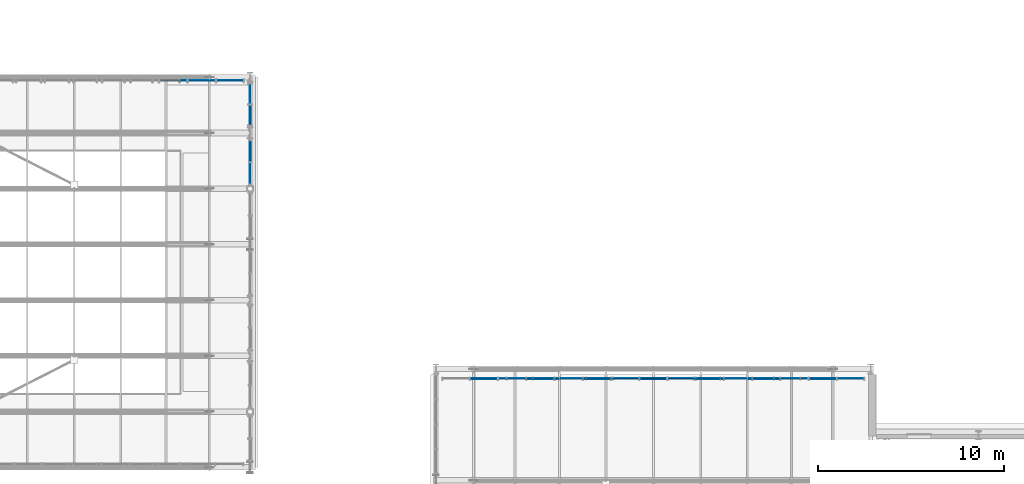
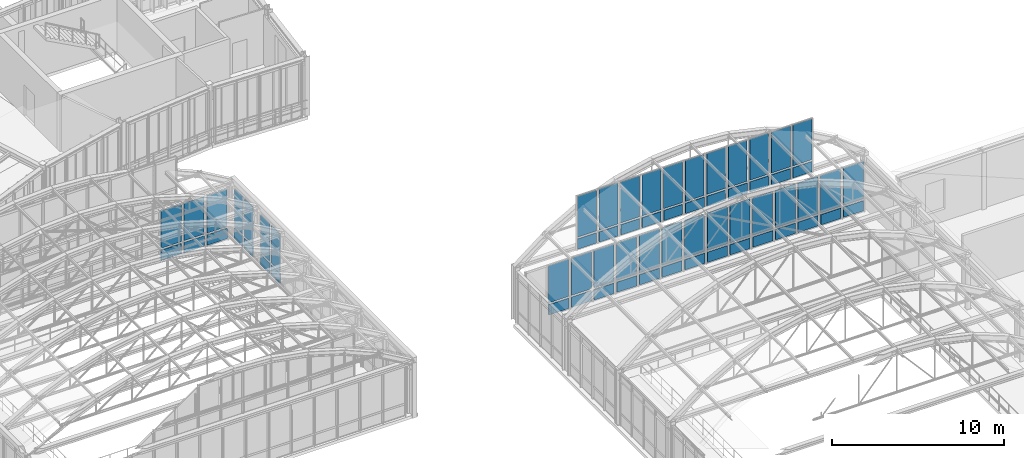
# One storey, part 101 of 148: 64 plates, 5 elements without a shape of their own.
"""IFC4 building model written with IfcOpenShell, lengths in metres."""

from ifc_helpers import new_model, si_unit, direction, frame, origin, origin_2d, place, context, subcontext, project, spatial, rectangle, extrude, material, layer, layer_set, type_object, element, aggregate, save


model = new_model("IFC4")

# Units and contexts
model_context = context("Model", 3, precision=1e-05, world=origin(), true_north=direction((0.0, 1.0)))
body_context = subcontext(model_context, "Body", "Model", "MODEL_VIEW")
ifc_project = project(units=[si_unit("LENGTHUNIT", "METRE"), si_unit("AREAUNIT", "SQUARE_METRE"), si_unit("VOLUMEUNIT", "CUBIC_METRE"), si_unit("PLANEANGLEUNIT", "RADIAN"), si_unit("MASSUNIT", "GRAM", prefix="KILO"), si_unit("THERMODYNAMICTEMPERATUREUNIT", "KELVIN"), si_unit("POWERUNIT", "WATT")], contexts=[model_context])

# Site, building, storey
site_placement = place(None, origin())
site = spatial("IfcSite", under=ifc_project, at=site_placement, CompositionType="ELEMENT")
building_placement = place(site_placement, origin())
building = spatial("IfcBuilding", under=site, at=building_placement, Name="Solvatero Civic Police Headquarters", CompositionType="ELEMENT")
storey_placement = place(building_placement, frame((0.0, 0.0, 5.10009765625)))
storey = spatial("IfcBuildingStorey", under=building, at=storey_placement, Name="L01", CompositionType="ELEMENT", Elevation=5.10009765625)

# Curtain wall, plate
ifc_material_1 = material(Name="Anodized Bronze Aluminium", Category="aluminium")
ifc_layer_1 = layer(ifc_material_1, 0.179931640625)
ifc_layer_set_1 = layer_set([ifc_layer_1], Name="Anodized Bronze Aluminium")
curtain_wall_type_1 = type_object("IfcCurtainWallType", Name="CW-HAL-GLZ", PredefinedType="USERDEFINED", material=ifc_layer_set_1)
curtain_wall_1_placement = place(storey_placement, origin())
curtain_wall_1 = element("IfcCurtainWall", 1, at=curtain_wall_1_placement, inside=storey, type_object=curtain_wall_type_1, Name="Curtain Wall CW-R2-L01-V2-E-B6", ObjectType="UNITISED", PredefinedType="USERDEFINED")
ifc_material_2 = material(Name="Triple Low-E Laminated Glass", Category="glass")
ifc_layer_2 = layer(ifc_material_2, 0.0380859375)
ifc_layer_set_2 = layer_set([ifc_layer_2], Name="Triple Low-E Laminated Glass")
plate_type_1 = type_object("IfcPlateType", Name="CWP-GLZ-38", PredefinedType="CURTAIN_PANEL", material=ifc_layer_set_2)
plate_1_placement = place(storey_placement, frame((88.800048828125, 57.31396484375, 0.909912109375), z_axis=(0.0, 0.0, 1.0), x_axis=(0.0, 1.0, 0.0)))
plate_1 = element("IfcPlate", 2, at=plate_1_placement, type_object=plate_type_1, Name="CW-R2-L01-V2-E-B6 Vision Glazing 1", PredefinedType="CURTAIN_PANEL", context=body_context, shape_type="SweptSolid", body=[
    extrude(rectangle(XDim=1.0439453125, YDim=0.0380859375, at=origin_2d()), origin(), (0.0, 0.0, 1.0), 2.68994140625),
])

curtain_wall_2_placement = place(storey_placement, origin())
curtain_wall_2 = element("IfcCurtainWall", 3, at=curtain_wall_2_placement, inside=storey, type_object=curtain_wall_type_1, Name="Curtain Wall CW-R2-L01-V2-E-B7", ObjectType="UNITISED", PredefinedType="USERDEFINED")
plate_2_placement = place(storey_placement, frame((88.800048828125, 61.611083984375, 0.909912109375), z_axis=(0.0, 0.0, 1.0), x_axis=(0.0, 1.0, 0.0)))
plate_2 = element("IfcPlate", 4, at=plate_2_placement, type_object=plate_type_1, Name="CW-R2-L01-V2-E-B7 Vision Glazing 2", PredefinedType="CURTAIN_PANEL", context=body_context, shape_type="SweptSolid", body=[
    extrude(rectangle(XDim=0.993896484375, YDim=0.0380859375, at=origin_2d()), origin(), (0.0, 0.0, 1.0), 2.68994140625),
])

curtain_wall_3_placement = place(storey_placement, origin())
curtain_wall_3 = element("IfcCurtainWall", 5, at=curtain_wall_3_placement, inside=storey, type_object=curtain_wall_type_1, Name="Curtain Wall CW-R2-L01-V2-N", ObjectType="UNITISED", PredefinedType="USERDEFINED")
plate_3_placement = place(storey_placement, frame((86.194091796875, 62.320068359375, 0.909912109375), z_axis=(0.0, 0.0, 1.0), x_axis=(1.0, 0.0, 0.0)))
plate_3 = element("IfcPlate", 6, at=plate_3_placement, type_object=plate_type_1, Name="CW-R2-L01-V2-N Vision Glazing 14", PredefinedType="CURTAIN_PANEL", context=body_context, shape_type="SweptSolid", body=[
    extrude(rectangle(XDim=1.35595703125, YDim=0.0380859375, at=origin_2d()), origin(), (0.0, 0.0, 1.0), 2.64990234375),
])

# Curtain wall, plates
curtain_wall_4_placement = place(storey_placement, origin())
curtain_wall_4 = element("IfcCurtainWall", 7, at=curtain_wall_4_placement, inside=storey, type_object=curtain_wall_type_1, Name="Curtain Wall CW-R2-L01-V1-N", ObjectType="UNITISED", PredefinedType="USERDEFINED")
plate_4_placement = place(storey_placement, frame((102.9013671875, 46.280029296875, 0.909912109375), z_axis=(0.0, 0.0, 1.0), x_axis=(1.0, 0.0, 0.0)))
plate_4 = element("IfcPlate", 8, at=plate_4_placement, type_object=plate_type_1, Name="CW-R2-L01-V1-N Vision Glazing 3", PredefinedType="CURTAIN_PANEL", context=body_context, shape_type="SweptSolid", body=[
    extrude(rectangle(XDim=1.339599609375, YDim=0.0380859375, at=origin_2d()), origin(), (0.0, 0.0, 1.0), 2.64990234375),
])
plate_5_placement = place(storey_placement, frame((105.94091796875, 46.280029296875, 0.909912109375), z_axis=(0.0, 0.0, 1.0), x_axis=(1.0, 0.0, 0.0)))
plate_5 = element("IfcPlate", 9, at=plate_5_placement, type_object=plate_type_1, Name="CW-R2-L01-V1-N Vision Glazing 5", PredefinedType="CURTAIN_PANEL", context=body_context, shape_type="SweptSolid", body=[
    extrude(rectangle(XDim=1.339599609375, YDim=0.0380859375, at=origin_2d()), origin(), (0.0, 0.0, 1.0), 2.64990234375),
])
plate_6_placement = place(storey_placement, frame((108.980224609375, 46.280029296875, 0.909912109375), z_axis=(0.0, 0.0, 1.0), x_axis=(1.0, 0.0, 0.0)))
plate_6 = element("IfcPlate", 10, at=plate_6_placement, type_object=plate_type_1, Name="CW-R2-L01-V1-N Vision Glazing 7", PredefinedType="CURTAIN_PANEL", context=body_context, shape_type="SweptSolid", body=[
    extrude(rectangle(XDim=1.339599609375, YDim=0.0380859375, at=origin_2d()), origin(), (0.0, 0.0, 1.0), 2.64990234375),
])
plate_7_placement = place(storey_placement, frame((112.019775390625, 46.280029296875, 0.909912109375), z_axis=(0.0, 0.0, 1.0), x_axis=(1.0, 0.0, 0.0)))
plate_7 = element("IfcPlate", 11, at=plate_7_placement, type_object=plate_type_1, Name="CW-R2-L01-V1-N Vision Glazing 9", PredefinedType="CURTAIN_PANEL", context=body_context, shape_type="SweptSolid", body=[
    extrude(rectangle(XDim=1.339599609375, YDim=0.0380859375, at=origin_2d()), origin(), (0.0, 0.0, 1.0), 2.64990234375),
])
plate_8_placement = place(storey_placement, frame((115.05908203125, 46.280029296875, 0.909912109375), z_axis=(0.0, 0.0, 1.0), x_axis=(1.0, 0.0, 0.0)))
plate_8 = element("IfcPlate", 12, at=plate_8_placement, type_object=plate_type_1, Name="CW-R2-L01-V1-N Vision Glazing 11", PredefinedType="CURTAIN_PANEL", context=body_context, shape_type="SweptSolid", body=[
    extrude(rectangle(XDim=1.339599609375, YDim=0.0380859375, at=origin_2d()), origin(), (0.0, 0.0, 1.0), 2.64990234375),
])
plate_9_placement = place(storey_placement, frame((118.0986328125, 46.280029296875, 0.909912109375), z_axis=(0.0, 0.0, 1.0), x_axis=(1.0, 0.0, 0.0)))
plate_9 = element("IfcPlate", 13, at=plate_9_placement, type_object=plate_type_1, Name="CW-R2-L01-V1-N Vision Glazing 13", PredefinedType="CURTAIN_PANEL", context=body_context, shape_type="SweptSolid", body=[
    extrude(rectangle(XDim=1.339599609375, YDim=0.0380859375, at=origin_2d()), origin(), (0.0, 0.0, 1.0), 2.64990234375),
])
plate_10_placement = place(storey_placement, frame((121.13818359375, 46.280029296875, 0.909912109375), z_axis=(0.0, 0.0, 1.0), x_axis=(1.0, 0.0, 0.0)))
plate_10 = element("IfcPlate", 14, at=plate_10_placement, type_object=plate_type_1, Name="CW-R2-L01-V1-N Vision Glazing 15", PredefinedType="CURTAIN_PANEL", context=body_context, shape_type="SweptSolid", body=[
    extrude(rectangle(XDim=1.339599609375, YDim=0.0380859375, at=origin_2d()), origin(), (0.0, 0.0, 1.0), 2.64990234375),
])

ifc_layer_3 = layer(ifc_material_1, 0.179931640625)
ifc_layer_set_3 = layer_set([ifc_layer_3], Name="Anodized Bronze Aluminium")
curtain_wall_type_2 = type_object("IfcCurtainWallType", Name="CW-VLT-TYMP", PredefinedType="USERDEFINED", material=ifc_layer_set_3)
curtain_wall_5_placement = place(storey_placement, origin())
curtain_wall_5 = element("IfcCurtainWall", 15, at=curtain_wall_5_placement, inside=storey, type_object=curtain_wall_type_2, Name="Curtain Wall CW-R2-L01-VLT1-N", ObjectType="UNITISED", PredefinedType="USERDEFINED")
plate_11_placement = place(storey_placement, frame((103.28173828125, 46.280029296875, 4.889892578125), z_axis=(0.0, 0.0, 1.0), x_axis=(1.0, 0.0, 0.0)))
plate_11 = element("IfcPlate", 16, at=plate_11_placement, type_object=plate_type_1, Name="CW-R2-L01-VLT1-N Vision Glazing 1", PredefinedType="CURTAIN_PANEL", context=body_context, shape_type="SweptSolid", body=[
    extrude(rectangle(XDim=1.263671875, YDim=0.0380859375, at=origin_2d()), origin(), (0.0, 0.0, 1.0), 2.89990234375),
])
plate_12_placement = place(storey_placement, frame((106.169189453125, 46.280029296875, 4.889892578125), z_axis=(0.0, 0.0, 1.0), x_axis=(1.0, 0.0, 0.0)))
plate_12 = element("IfcPlate", 17, at=plate_12_placement, type_object=plate_type_1, Name="CW-R2-L01-VLT1-N Vision Glazing 3", PredefinedType="CURTAIN_PANEL", context=body_context, shape_type="SweptSolid", body=[
    extrude(rectangle(XDim=1.263671875, YDim=0.0380859375, at=origin_2d()), origin(), (0.0, 0.0, 1.0), 2.89990234375),
])
plate_13_placement = place(storey_placement, frame((109.056396484375, 46.280029296875, 4.889892578125), z_axis=(0.0, 0.0, 1.0), x_axis=(1.0, 0.0, 0.0)))
plate_13 = element("IfcPlate", 18, at=plate_13_placement, type_object=plate_type_1, Name="CW-R2-L01-VLT1-N Vision Glazing 5", PredefinedType="CURTAIN_PANEL", context=body_context, shape_type="SweptSolid", body=[
    extrude(rectangle(XDim=1.263671875, YDim=0.0380859375, at=origin_2d()), origin(), (0.0, 0.0, 1.0), 2.89990234375),
])
plate_14_placement = place(storey_placement, frame((111.943603515625, 46.280029296875, 4.889892578125), z_axis=(0.0, 0.0, 1.0), x_axis=(1.0, 0.0, 0.0)))
plate_14 = element("IfcPlate", 19, at=plate_14_placement, type_object=plate_type_1, Name="CW-R2-L01-VLT1-N Vision Glazing 7", PredefinedType="CURTAIN_PANEL", context=body_context, shape_type="SweptSolid", body=[
    extrude(rectangle(XDim=1.263671875, YDim=0.0380859375, at=origin_2d()), origin(), (0.0, 0.0, 1.0), 2.89990234375),
])
plate_15_placement = place(storey_placement, frame((114.830810546875, 46.280029296875, 4.889892578125), z_axis=(0.0, 0.0, 1.0), x_axis=(1.0, 0.0, 0.0)))
plate_15 = element("IfcPlate", 20, at=plate_15_placement, type_object=plate_type_1, Name="CW-R2-L01-VLT1-N Vision Glazing 9", PredefinedType="CURTAIN_PANEL", context=body_context, shape_type="SweptSolid", body=[
    extrude(rectangle(XDim=1.263671875, YDim=0.0380859375, at=origin_2d()), origin(), (0.0, 0.0, 1.0), 2.89990234375),
])
plate_16_placement = place(storey_placement, frame((117.71826171875, 46.280029296875, 4.889892578125), z_axis=(0.0, 0.0, 1.0), x_axis=(1.0, 0.0, 0.0)))
plate_16 = element("IfcPlate", 21, at=plate_16_placement, type_object=plate_type_1, Name="CW-R2-L01-VLT1-N Vision Glazing 11", PredefinedType="CURTAIN_PANEL", context=body_context, shape_type="SweptSolid", body=[
    extrude(rectangle(XDim=1.263671875, YDim=0.0380859375, at=origin_2d()), origin(), (0.0, 0.0, 1.0), 2.89990234375),
])

# Plate
ifc_material_3 = material(Name="Acoustic Ballistic Laminated Glass", Category="glass")
ifc_layer_4 = layer(ifc_material_3, 0.0439453125)
ifc_layer_set_4 = layer_set([ifc_layer_4], Name="Acoustic Ballistic Laminated Glass")
plate_type_2 = type_object("IfcPlateType", Name="CWP-GLZ-44", PredefinedType="CURTAIN_PANEL", material=ifc_layer_set_4)
plate_17_placement = place(storey_placement, frame((88.800048828125, 58.5380859375, 0.909912109375), z_axis=(0.0, 0.0, 1.0), x_axis=(0.0, 1.0, 0.0)))
plate_17 = element("IfcPlate", 22, at=plate_17_placement, type_object=plate_type_2, Name="CW-R2-L01-V2-E-B6 Vision Glazing 2", PredefinedType="CURTAIN_PANEL", context=body_context, shape_type="SweptSolid", body=[
    extrude(rectangle(XDim=1.0439453125, YDim=0.0439453125, at=origin_2d()), origin(), (0.0, 0.0, 1.0), 2.68994140625),
])

plate_18_placement = place(storey_placement, frame((88.800048828125, 60.43701171875, 0.909912109375), z_axis=(0.0, 0.0, 1.0), x_axis=(0.0, 1.0, 0.0)))
plate_18 = element("IfcPlate", 23, at=plate_18_placement, type_object=plate_type_2, Name="CW-R2-L01-V2-E-B7 Vision Glazing 1", PredefinedType="CURTAIN_PANEL", context=body_context, shape_type="SweptSolid", body=[
    extrude(rectangle(XDim=0.993896484375, YDim=0.0439453125, at=origin_2d()), origin(), (0.0, 0.0, 1.0), 2.68994140625),
])

plate_19_placement = place(storey_placement, frame((84.658203125, 62.320068359375, 0.909912109375), z_axis=(0.0, 0.0, 1.0), x_axis=(1.0, 0.0, 0.0)))
plate_19 = element("IfcPlate", 24, at=plate_19_placement, type_object=plate_type_2, Name="CW-R2-L01-V2-N Vision Glazing 13", PredefinedType="CURTAIN_PANEL", context=body_context, shape_type="SweptSolid", body=[
    extrude(rectangle(XDim=1.35595703125, YDim=0.0439453125, at=origin_2d()), origin(), (0.0, 0.0, 1.0), 2.64990234375),
])

plate_20_placement = place(storey_placement, frame((87.72998046875, 62.320068359375, 0.909912109375), z_axis=(0.0, 0.0, 1.0), x_axis=(1.0, 0.0, 0.0)))
plate_20 = element("IfcPlate", 25, at=plate_20_placement, type_object=plate_type_2, Name="CW-R2-L01-V2-N Vision Glazing 15", PredefinedType="CURTAIN_PANEL", context=body_context, shape_type="SweptSolid", body=[
    extrude(rectangle(XDim=1.35595703125, YDim=0.0439453125, at=origin_2d()), origin(), (0.0, 0.0, 1.0), 2.64990234375),
])

plate_21_placement = place(storey_placement, frame((101.381591796875, 46.280029296875, 0.909912109375), z_axis=(0.0, 0.0, 1.0), x_axis=(1.0, 0.0, 0.0)))
plate_21 = element("IfcPlate", 26, at=plate_21_placement, type_object=plate_type_2, Name="CW-R2-L01-V1-N Vision Glazing 2", PredefinedType="CURTAIN_PANEL", context=body_context, shape_type="SweptSolid", body=[
    extrude(rectangle(XDim=1.339599609375, YDim=0.0439453125, at=origin_2d()), origin(), (0.0, 0.0, 1.0), 2.64990234375),
])

plate_22_placement = place(storey_placement, frame((104.421142578125, 46.280029296875, 0.909912109375), z_axis=(0.0, 0.0, 1.0), x_axis=(1.0, 0.0, 0.0)))
plate_22 = element("IfcPlate", 27, at=plate_22_placement, type_object=plate_type_2, Name="CW-R2-L01-V1-N Vision Glazing 4", PredefinedType="CURTAIN_PANEL", context=body_context, shape_type="SweptSolid", body=[
    extrude(rectangle(XDim=1.339599609375, YDim=0.0439453125, at=origin_2d()), origin(), (0.0, 0.0, 1.0), 2.64990234375),
])

plate_23_placement = place(storey_placement, frame((107.46044921875, 46.280029296875, 0.909912109375), z_axis=(0.0, 0.0, 1.0), x_axis=(1.0, 0.0, 0.0)))
plate_23 = element("IfcPlate", 28, at=plate_23_placement, type_object=plate_type_2, Name="CW-R2-L01-V1-N Vision Glazing 6", PredefinedType="CURTAIN_PANEL", context=body_context, shape_type="SweptSolid", body=[
    extrude(rectangle(XDim=1.339599609375, YDim=0.0439453125, at=origin_2d()), origin(), (0.0, 0.0, 1.0), 2.64990234375),
])

plate_24_placement = place(storey_placement, frame((110.5, 46.280029296875, 0.909912109375), z_axis=(0.0, 0.0, 1.0), x_axis=(1.0, 0.0, 0.0)))
plate_24 = element("IfcPlate", 29, at=plate_24_placement, type_object=plate_type_2, Name="CW-R2-L01-V1-N Vision Glazing 8", PredefinedType="CURTAIN_PANEL", context=body_context, shape_type="SweptSolid", body=[
    extrude(rectangle(XDim=1.339599609375, YDim=0.0439453125, at=origin_2d()), origin(), (0.0, 0.0, 1.0), 2.64990234375),
])

plate_25_placement = place(storey_placement, frame((113.53955078125, 46.280029296875, 0.909912109375), z_axis=(0.0, 0.0, 1.0), x_axis=(1.0, 0.0, 0.0)))
plate_25 = element("IfcPlate", 30, at=plate_25_placement, type_object=plate_type_2, Name="CW-R2-L01-V1-N Vision Glazing 10", PredefinedType="CURTAIN_PANEL", context=body_context, shape_type="SweptSolid", body=[
    extrude(rectangle(XDim=1.339599609375, YDim=0.0439453125, at=origin_2d()), origin(), (0.0, 0.0, 1.0), 2.64990234375),
])

plate_26_placement = place(storey_placement, frame((116.578857421875, 46.280029296875, 0.909912109375), z_axis=(0.0, 0.0, 1.0), x_axis=(1.0, 0.0, 0.0)))
plate_26 = element("IfcPlate", 31, at=plate_26_placement, type_object=plate_type_2, Name="CW-R2-L01-V1-N Vision Glazing 12", PredefinedType="CURTAIN_PANEL", context=body_context, shape_type="SweptSolid", body=[
    extrude(rectangle(XDim=1.339599609375, YDim=0.0439453125, at=origin_2d()), origin(), (0.0, 0.0, 1.0), 2.64990234375),
])

plate_27_placement = place(storey_placement, frame((119.618408203125, 46.280029296875, 0.909912109375), z_axis=(0.0, 0.0, 1.0), x_axis=(1.0, 0.0, 0.0)))
plate_27 = element("IfcPlate", 32, at=plate_27_placement, type_object=plate_type_2, Name="CW-R2-L01-V1-N Vision Glazing 14", PredefinedType="CURTAIN_PANEL", context=body_context, shape_type="SweptSolid", body=[
    extrude(rectangle(XDim=1.339599609375, YDim=0.0439453125, at=origin_2d()), origin(), (0.0, 0.0, 1.0), 2.64990234375),
])

plate_28_placement = place(storey_placement, frame((104.7255859375, 46.280029296875, 4.889892578125), z_axis=(0.0, 0.0, 1.0), x_axis=(1.0, 0.0, 0.0)))
plate_28 = element("IfcPlate", 33, at=plate_28_placement, type_object=plate_type_2, Name="CW-R2-L01-VLT1-N Vision Glazing 2", PredefinedType="CURTAIN_PANEL", context=body_context, shape_type="SweptSolid", body=[
    extrude(rectangle(XDim=1.263671875, YDim=0.0439453125, at=origin_2d()), origin(), (0.0, 0.0, 1.0), 2.89990234375),
])

plate_29_placement = place(storey_placement, frame((107.61279296875, 46.280029296875, 4.889892578125), z_axis=(0.0, 0.0, 1.0), x_axis=(1.0, 0.0, 0.0)))
plate_29 = element("IfcPlate", 34, at=plate_29_placement, type_object=plate_type_2, Name="CW-R2-L01-VLT1-N Vision Glazing 4", PredefinedType="CURTAIN_PANEL", context=body_context, shape_type="SweptSolid", body=[
    extrude(rectangle(XDim=1.263671875, YDim=0.0439453125, at=origin_2d()), origin(), (0.0, 0.0, 1.0), 2.89990234375),
])

plate_30_placement = place(storey_placement, frame((110.5, 46.280029296875, 4.889892578125), z_axis=(0.0, 0.0, 1.0), x_axis=(1.0, 0.0, 0.0)))
plate_30 = element("IfcPlate", 35, at=plate_30_placement, type_object=plate_type_2, Name="CW-R2-L01-VLT1-N Vision Glazing 6", PredefinedType="CURTAIN_PANEL", context=body_context, shape_type="SweptSolid", body=[
    extrude(rectangle(XDim=1.263671875, YDim=0.0439453125, at=origin_2d()), origin(), (0.0, 0.0, 1.0), 2.89990234375),
])

plate_31_placement = place(storey_placement, frame((113.38720703125, 46.280029296875, 4.889892578125), z_axis=(0.0, 0.0, 1.0), x_axis=(1.0, 0.0, 0.0)))
plate_31 = element("IfcPlate", 36, at=plate_31_placement, type_object=plate_type_2, Name="CW-R2-L01-VLT1-N Vision Glazing 8", PredefinedType="CURTAIN_PANEL", context=body_context, shape_type="SweptSolid", body=[
    extrude(rectangle(XDim=1.263671875, YDim=0.0439453125, at=origin_2d()), origin(), (0.0, 0.0, 1.0), 2.89990234375),
])

plate_32_placement = place(storey_placement, frame((116.2744140625, 46.280029296875, 4.889892578125), z_axis=(0.0, 0.0, 1.0), x_axis=(1.0, 0.0, 0.0)))
plate_32 = element("IfcPlate", 37, at=plate_32_placement, type_object=plate_type_2, Name="CW-R2-L01-VLT1-N Vision Glazing 10", PredefinedType="CURTAIN_PANEL", context=body_context, shape_type="SweptSolid", body=[
    extrude(rectangle(XDim=1.263671875, YDim=0.0439453125, at=origin_2d()), origin(), (0.0, 0.0, 1.0), 2.89990234375),
])

ifc_material_4 = material(Name="Insulated Bronze Aluminium Spandrel", Category="aluminium")
ifc_layer_5 = layer(ifc_material_4, 0.06005859375)
ifc_layer_set_5 = layer_set([ifc_layer_5], Name="Insulated Bronze Aluminium Spandrel")
plate_type_3 = type_object("IfcPlateType", Name="CWP-SPN-60", PredefinedType="CURTAIN_PANEL", material=ifc_layer_set_5)
plate_33_placement = place(storey_placement, frame((88.800048828125, 57.31396484375, 0.059814453125), z_axis=(0.0, 0.0, 1.0), x_axis=(0.0, 1.0, 0.0)))
plate_33 = element("IfcPlate", 38, at=plate_33_placement, type_object=plate_type_3, Name="CW-R2-L01-V2-E-B6 Spandrel Panel 1", PredefinedType="CURTAIN_PANEL", context=body_context, shape_type="SweptSolid", body=[
    extrude(rectangle(XDim=1.0439453125, YDim=0.06005859375, at=origin_2d()), origin(), (0.0, 0.0, 1.0), 0.72998046875),
])

plate_34_placement = place(storey_placement, frame((88.800048828125, 61.611083984375, 0.059814453125), z_axis=(0.0, 0.0, 1.0), x_axis=(0.0, 1.0, 0.0)))
plate_34 = element("IfcPlate", 39, at=plate_34_placement, type_object=plate_type_3, Name="CW-R2-L01-V2-E-B7 Spandrel Panel 2", PredefinedType="CURTAIN_PANEL", context=body_context, shape_type="SweptSolid", body=[
    extrude(rectangle(XDim=0.993896484375, YDim=0.06005859375, at=origin_2d()), origin(), (0.0, 0.0, 1.0), 0.72998046875),
])

plate_35_placement = place(storey_placement, frame((86.194091796875, 62.320068359375, 0.059814453125), z_axis=(0.0, 0.0, 1.0), x_axis=(1.0, 0.0, 0.0)))
plate_35 = element("IfcPlate", 40, at=plate_35_placement, type_object=plate_type_3, Name="CW-R2-L01-V2-N Spandrel Panel 14", PredefinedType="CURTAIN_PANEL", context=body_context, shape_type="SweptSolid", body=[
    extrude(rectangle(XDim=1.35595703125, YDim=0.06005859375, at=origin_2d()), origin(), (0.0, 0.0, 1.0), 0.72998046875),
])

plate_36_placement = place(storey_placement, frame((102.9013671875, 46.280029296875, 0.059814453125), z_axis=(0.0, 0.0, 1.0), x_axis=(1.0, 0.0, 0.0)))
plate_36 = element("IfcPlate", 41, at=plate_36_placement, type_object=plate_type_3, Name="CW-R2-L01-V1-N Spandrel Panel 3", PredefinedType="CURTAIN_PANEL", context=body_context, shape_type="SweptSolid", body=[
    extrude(rectangle(XDim=1.339599609375, YDim=0.06005859375, at=origin_2d()), origin(), (0.0, 0.0, 1.0), 0.72998046875),
])

plate_37_placement = place(storey_placement, frame((105.94091796875, 46.280029296875, 0.059814453125), z_axis=(0.0, 0.0, 1.0), x_axis=(1.0, 0.0, 0.0)))
plate_37 = element("IfcPlate", 42, at=plate_37_placement, type_object=plate_type_3, Name="CW-R2-L01-V1-N Spandrel Panel 5", PredefinedType="CURTAIN_PANEL", context=body_context, shape_type="SweptSolid", body=[
    extrude(rectangle(XDim=1.339599609375, YDim=0.06005859375, at=origin_2d()), origin(), (0.0, 0.0, 1.0), 0.72998046875),
])

plate_38_placement = place(storey_placement, frame((108.980224609375, 46.280029296875, 0.059814453125), z_axis=(0.0, 0.0, 1.0), x_axis=(1.0, 0.0, 0.0)))
plate_38 = element("IfcPlate", 43, at=plate_38_placement, type_object=plate_type_3, Name="CW-R2-L01-V1-N Spandrel Panel 7", PredefinedType="CURTAIN_PANEL", context=body_context, shape_type="SweptSolid", body=[
    extrude(rectangle(XDim=1.339599609375, YDim=0.06005859375, at=origin_2d()), origin(), (0.0, 0.0, 1.0), 0.72998046875),
])

plate_39_placement = place(storey_placement, frame((112.019775390625, 46.280029296875, 0.059814453125), z_axis=(0.0, 0.0, 1.0), x_axis=(1.0, 0.0, 0.0)))
plate_39 = element("IfcPlate", 44, at=plate_39_placement, type_object=plate_type_3, Name="CW-R2-L01-V1-N Spandrel Panel 9", PredefinedType="CURTAIN_PANEL", context=body_context, shape_type="SweptSolid", body=[
    extrude(rectangle(XDim=1.339599609375, YDim=0.06005859375, at=origin_2d()), origin(), (0.0, 0.0, 1.0), 0.72998046875),
])

plate_40_placement = place(storey_placement, frame((115.05908203125, 46.280029296875, 0.059814453125), z_axis=(0.0, 0.0, 1.0), x_axis=(1.0, 0.0, 0.0)))
plate_40 = element("IfcPlate", 45, at=plate_40_placement, type_object=plate_type_3, Name="CW-R2-L01-V1-N Spandrel Panel 11", PredefinedType="CURTAIN_PANEL", context=body_context, shape_type="SweptSolid", body=[
    extrude(rectangle(XDim=1.339599609375, YDim=0.06005859375, at=origin_2d()), origin(), (0.0, 0.0, 1.0), 0.72998046875),
])

plate_41_placement = place(storey_placement, frame((118.0986328125, 46.280029296875, 0.059814453125), z_axis=(0.0, 0.0, 1.0), x_axis=(1.0, 0.0, 0.0)))
plate_41 = element("IfcPlate", 46, at=plate_41_placement, type_object=plate_type_3, Name="CW-R2-L01-V1-N Spandrel Panel 13", PredefinedType="CURTAIN_PANEL", context=body_context, shape_type="SweptSolid", body=[
    extrude(rectangle(XDim=1.339599609375, YDim=0.06005859375, at=origin_2d()), origin(), (0.0, 0.0, 1.0), 0.72998046875),
])

plate_42_placement = place(storey_placement, frame((121.13818359375, 46.280029296875, 0.059814453125), z_axis=(0.0, 0.0, 1.0), x_axis=(1.0, 0.0, 0.0)))
plate_42 = element("IfcPlate", 47, at=plate_42_placement, type_object=plate_type_3, Name="CW-R2-L01-V1-N Spandrel Panel 15", PredefinedType="CURTAIN_PANEL", context=body_context, shape_type="SweptSolid", body=[
    extrude(rectangle(XDim=1.339599609375, YDim=0.06005859375, at=origin_2d()), origin(), (0.0, 0.0, 1.0), 0.72998046875),
])

plate_43_placement = place(storey_placement, frame((103.28173828125, 46.280029296875, 4.039794921875), z_axis=(0.0, 0.0, 1.0), x_axis=(1.0, 0.0, 0.0)))
plate_43 = element("IfcPlate", 48, at=plate_43_placement, type_object=plate_type_3, Name="CW-R2-L01-VLT1-N Spandrel Panel 1", PredefinedType="CURTAIN_PANEL", context=body_context, shape_type="SweptSolid", body=[
    extrude(rectangle(XDim=1.263671875, YDim=0.06005859375, at=origin_2d()), origin(), (0.0, 0.0, 1.0), 0.72998046875),
])

plate_44_placement = place(storey_placement, frame((106.169189453125, 46.280029296875, 4.039794921875), z_axis=(0.0, 0.0, 1.0), x_axis=(1.0, 0.0, 0.0)))
plate_44 = element("IfcPlate", 49, at=plate_44_placement, type_object=plate_type_3, Name="CW-R2-L01-VLT1-N Spandrel Panel 3", PredefinedType="CURTAIN_PANEL", context=body_context, shape_type="SweptSolid", body=[
    extrude(rectangle(XDim=1.263671875, YDim=0.06005859375, at=origin_2d()), origin(), (0.0, 0.0, 1.0), 0.72998046875),
])

plate_45_placement = place(storey_placement, frame((109.056396484375, 46.280029296875, 4.039794921875), z_axis=(0.0, 0.0, 1.0), x_axis=(1.0, 0.0, 0.0)))
plate_45 = element("IfcPlate", 50, at=plate_45_placement, type_object=plate_type_3, Name="CW-R2-L01-VLT1-N Spandrel Panel 5", PredefinedType="CURTAIN_PANEL", context=body_context, shape_type="SweptSolid", body=[
    extrude(rectangle(XDim=1.263671875, YDim=0.06005859375, at=origin_2d()), origin(), (0.0, 0.0, 1.0), 0.72998046875),
])

plate_46_placement = place(storey_placement, frame((111.943603515625, 46.280029296875, 4.039794921875), z_axis=(0.0, 0.0, 1.0), x_axis=(1.0, 0.0, 0.0)))
plate_46 = element("IfcPlate", 51, at=plate_46_placement, type_object=plate_type_3, Name="CW-R2-L01-VLT1-N Spandrel Panel 7", PredefinedType="CURTAIN_PANEL", context=body_context, shape_type="SweptSolid", body=[
    extrude(rectangle(XDim=1.263671875, YDim=0.06005859375, at=origin_2d()), origin(), (0.0, 0.0, 1.0), 0.72998046875),
])

plate_47_placement = place(storey_placement, frame((114.830810546875, 46.280029296875, 4.039794921875), z_axis=(0.0, 0.0, 1.0), x_axis=(1.0, 0.0, 0.0)))
plate_47 = element("IfcPlate", 52, at=plate_47_placement, type_object=plate_type_3, Name="CW-R2-L01-VLT1-N Spandrel Panel 9", PredefinedType="CURTAIN_PANEL", context=body_context, shape_type="SweptSolid", body=[
    extrude(rectangle(XDim=1.263671875, YDim=0.06005859375, at=origin_2d()), origin(), (0.0, 0.0, 1.0), 0.72998046875),
])

plate_48_placement = place(storey_placement, frame((117.71826171875, 46.280029296875, 4.039794921875), z_axis=(0.0, 0.0, 1.0), x_axis=(1.0, 0.0, 0.0)))
plate_48 = element("IfcPlate", 53, at=plate_48_placement, type_object=plate_type_3, Name="CW-R2-L01-VLT1-N Spandrel Panel 11", PredefinedType="CURTAIN_PANEL", context=body_context, shape_type="SweptSolid", body=[
    extrude(rectangle(XDim=1.263671875, YDim=0.06005859375, at=origin_2d()), origin(), (0.0, 0.0, 1.0), 0.72998046875),
])

ifc_material_5 = material(Name="Limestone Veneer Spandrel Panel", Category="masonry")
ifc_layer_6 = layer(ifc_material_5, 0.074951171875)
ifc_layer_set_6 = layer_set([ifc_layer_6], Name="Limestone Veneer Spandrel Panel")
plate_type_4 = type_object("IfcPlateType", Name="CWP-SPN-75", PredefinedType="CURTAIN_PANEL", material=ifc_layer_set_6)
plate_49_placement = place(storey_placement, frame((88.800048828125, 58.5380859375, 0.059814453125), z_axis=(0.0, 0.0, 1.0), x_axis=(0.0, 1.0, 0.0)))
plate_49 = element("IfcPlate", 54, at=plate_49_placement, type_object=plate_type_4, Name="CW-R2-L01-V2-E-B6 Spandrel Panel 2", PredefinedType="CURTAIN_PANEL", context=body_context, shape_type="SweptSolid", body=[
    extrude(rectangle(XDim=1.0439453125, YDim=0.074951171875, at=origin_2d()), origin(), (0.0, 0.0, 1.0), 0.72998046875),
])

aggregate(curtain_wall_1, [plate_33, plate_1, plate_49, plate_17])

plate_50_placement = place(storey_placement, frame((88.800048828125, 60.43701171875, 0.059814453125), z_axis=(0.0, 0.0, 1.0), x_axis=(0.0, 1.0, 0.0)))
plate_50 = element("IfcPlate", 55, at=plate_50_placement, type_object=plate_type_4, Name="CW-R2-L01-V2-E-B7 Spandrel Panel 1", PredefinedType="CURTAIN_PANEL", context=body_context, shape_type="SweptSolid", body=[
    extrude(rectangle(XDim=0.993896484375, YDim=0.074951171875, at=origin_2d()), origin(), (0.0, 0.0, 1.0), 0.72998046875),
])

aggregate(curtain_wall_2, [plate_50, plate_18, plate_34, plate_2])

plate_51_placement = place(storey_placement, frame((84.658203125, 62.320068359375, 0.059814453125), z_axis=(0.0, 0.0, 1.0), x_axis=(1.0, 0.0, 0.0)))
plate_51 = element("IfcPlate", 56, at=plate_51_placement, type_object=plate_type_4, Name="CW-R2-L01-V2-N Spandrel Panel 13", PredefinedType="CURTAIN_PANEL", context=body_context, shape_type="SweptSolid", body=[
    extrude(rectangle(XDim=1.35595703125, YDim=0.074951171875, at=origin_2d()), origin(), (0.0, 0.0, 1.0), 0.72998046875),
])

plate_52_placement = place(storey_placement, frame((87.72998046875, 62.320068359375, 0.059814453125), z_axis=(0.0, 0.0, 1.0), x_axis=(1.0, 0.0, 0.0)))
plate_52 = element("IfcPlate", 57, at=plate_52_placement, type_object=plate_type_4, Name="CW-R2-L01-V2-N Spandrel Panel 15", PredefinedType="CURTAIN_PANEL", context=body_context, shape_type="SweptSolid", body=[
    extrude(rectangle(XDim=1.35595703125, YDim=0.074951171875, at=origin_2d()), origin(), (0.0, 0.0, 1.0), 0.72998046875),
])

aggregate(curtain_wall_3, [plate_51, plate_19, plate_35, plate_3, plate_52, plate_20])

plate_53_placement = place(storey_placement, frame((101.381591796875, 46.280029296875, 0.059814453125), z_axis=(0.0, 0.0, 1.0), x_axis=(1.0, 0.0, 0.0)))
plate_53 = element("IfcPlate", 58, at=plate_53_placement, type_object=plate_type_4, Name="CW-R2-L01-V1-N Spandrel Panel 2", PredefinedType="CURTAIN_PANEL", context=body_context, shape_type="SweptSolid", body=[
    extrude(rectangle(XDim=1.339599609375, YDim=0.074951171875, at=origin_2d()), origin(), (0.0, 0.0, 1.0), 0.72998046875),
])

plate_54_placement = place(storey_placement, frame((104.421142578125, 46.280029296875, 0.059814453125), z_axis=(0.0, 0.0, 1.0), x_axis=(1.0, 0.0, 0.0)))
plate_54 = element("IfcPlate", 59, at=plate_54_placement, type_object=plate_type_4, Name="CW-R2-L01-V1-N Spandrel Panel 4", PredefinedType="CURTAIN_PANEL", context=body_context, shape_type="SweptSolid", body=[
    extrude(rectangle(XDim=1.339599609375, YDim=0.074951171875, at=origin_2d()), origin(), (0.0, 0.0, 1.0), 0.72998046875),
])

plate_55_placement = place(storey_placement, frame((107.46044921875, 46.280029296875, 0.059814453125), z_axis=(0.0, 0.0, 1.0), x_axis=(1.0, 0.0, 0.0)))
plate_55 = element("IfcPlate", 60, at=plate_55_placement, type_object=plate_type_4, Name="CW-R2-L01-V1-N Spandrel Panel 6", PredefinedType="CURTAIN_PANEL", context=body_context, shape_type="SweptSolid", body=[
    extrude(rectangle(XDim=1.339599609375, YDim=0.074951171875, at=origin_2d()), origin(), (0.0, 0.0, 1.0), 0.72998046875),
])

plate_56_placement = place(storey_placement, frame((110.5, 46.280029296875, 0.059814453125), z_axis=(0.0, 0.0, 1.0), x_axis=(1.0, 0.0, 0.0)))
plate_56 = element("IfcPlate", 61, at=plate_56_placement, type_object=plate_type_4, Name="CW-R2-L01-V1-N Spandrel Panel 8", PredefinedType="CURTAIN_PANEL", context=body_context, shape_type="SweptSolid", body=[
    extrude(rectangle(XDim=1.339599609375, YDim=0.074951171875, at=origin_2d()), origin(), (0.0, 0.0, 1.0), 0.72998046875),
])

plate_57_placement = place(storey_placement, frame((113.53955078125, 46.280029296875, 0.059814453125), z_axis=(0.0, 0.0, 1.0), x_axis=(1.0, 0.0, 0.0)))
plate_57 = element("IfcPlate", 62, at=plate_57_placement, type_object=plate_type_4, Name="CW-R2-L01-V1-N Spandrel Panel 10", PredefinedType="CURTAIN_PANEL", context=body_context, shape_type="SweptSolid", body=[
    extrude(rectangle(XDim=1.339599609375, YDim=0.074951171875, at=origin_2d()), origin(), (0.0, 0.0, 1.0), 0.72998046875),
])

plate_58_placement = place(storey_placement, frame((116.578857421875, 46.280029296875, 0.059814453125), z_axis=(0.0, 0.0, 1.0), x_axis=(1.0, 0.0, 0.0)))
plate_58 = element("IfcPlate", 63, at=plate_58_placement, type_object=plate_type_4, Name="CW-R2-L01-V1-N Spandrel Panel 12", PredefinedType="CURTAIN_PANEL", context=body_context, shape_type="SweptSolid", body=[
    extrude(rectangle(XDim=1.339599609375, YDim=0.074951171875, at=origin_2d()), origin(), (0.0, 0.0, 1.0), 0.72998046875),
])

plate_59_placement = place(storey_placement, frame((119.618408203125, 46.280029296875, 0.059814453125), z_axis=(0.0, 0.0, 1.0), x_axis=(1.0, 0.0, 0.0)))
plate_59 = element("IfcPlate", 64, at=plate_59_placement, type_object=plate_type_4, Name="CW-R2-L01-V1-N Spandrel Panel 14", PredefinedType="CURTAIN_PANEL", context=body_context, shape_type="SweptSolid", body=[
    extrude(rectangle(XDim=1.339599609375, YDim=0.074951171875, at=origin_2d()), origin(), (0.0, 0.0, 1.0), 0.72998046875),
])

aggregate(curtain_wall_4, [plate_53, plate_21, plate_36, plate_4, plate_54, plate_22, plate_37, plate_5, plate_55, plate_23, plate_38, plate_6, plate_56, plate_24, plate_39, plate_7, plate_57, plate_25, plate_40, plate_8, plate_58, plate_26, plate_41, plate_9, plate_59, plate_27, plate_42, plate_10])

plate_60_placement = place(storey_placement, frame((104.7255859375, 46.280029296875, 4.039794921875), z_axis=(0.0, 0.0, 1.0), x_axis=(1.0, 0.0, 0.0)))
plate_60 = element("IfcPlate", 65, at=plate_60_placement, type_object=plate_type_4, Name="CW-R2-L01-VLT1-N Spandrel Panel 2", PredefinedType="CURTAIN_PANEL", context=body_context, shape_type="SweptSolid", body=[
    extrude(rectangle(XDim=1.263671875, YDim=0.074951171875, at=origin_2d()), origin(), (0.0, 0.0, 1.0), 0.72998046875),
])

plate_61_placement = place(storey_placement, frame((107.61279296875, 46.280029296875, 4.039794921875), z_axis=(0.0, 0.0, 1.0), x_axis=(1.0, 0.0, 0.0)))
plate_61 = element("IfcPlate", 66, at=plate_61_placement, type_object=plate_type_4, Name="CW-R2-L01-VLT1-N Spandrel Panel 4", PredefinedType="CURTAIN_PANEL", context=body_context, shape_type="SweptSolid", body=[
    extrude(rectangle(XDim=1.263671875, YDim=0.074951171875, at=origin_2d()), origin(), (0.0, 0.0, 1.0), 0.72998046875),
])

plate_62_placement = place(storey_placement, frame((110.5, 46.280029296875, 4.039794921875), z_axis=(0.0, 0.0, 1.0), x_axis=(1.0, 0.0, 0.0)))
plate_62 = element("IfcPlate", 67, at=plate_62_placement, type_object=plate_type_4, Name="CW-R2-L01-VLT1-N Spandrel Panel 6", PredefinedType="CURTAIN_PANEL", context=body_context, shape_type="SweptSolid", body=[
    extrude(rectangle(XDim=1.263671875, YDim=0.074951171875, at=origin_2d()), origin(), (0.0, 0.0, 1.0), 0.72998046875),
])

plate_63_placement = place(storey_placement, frame((113.38720703125, 46.280029296875, 4.039794921875), z_axis=(0.0, 0.0, 1.0), x_axis=(1.0, 0.0, 0.0)))
plate_63 = element("IfcPlate", 68, at=plate_63_placement, type_object=plate_type_4, Name="CW-R2-L01-VLT1-N Spandrel Panel 8", PredefinedType="CURTAIN_PANEL", context=body_context, shape_type="SweptSolid", body=[
    extrude(rectangle(XDim=1.263671875, YDim=0.074951171875, at=origin_2d()), origin(), (0.0, 0.0, 1.0), 0.72998046875),
])

plate_64_placement = place(storey_placement, frame((116.2744140625, 46.280029296875, 4.039794921875), z_axis=(0.0, 0.0, 1.0), x_axis=(1.0, 0.0, 0.0)))
plate_64 = element("IfcPlate", 69, at=plate_64_placement, type_object=plate_type_4, Name="CW-R2-L01-VLT1-N Spandrel Panel 10", PredefinedType="CURTAIN_PANEL", context=body_context, shape_type="SweptSolid", body=[
    extrude(rectangle(XDim=1.263671875, YDim=0.074951171875, at=origin_2d()), origin(), (0.0, 0.0, 1.0), 0.72998046875),
])

aggregate(curtain_wall_5, [plate_43, plate_11, plate_60, plate_28, plate_44, plate_12, plate_61, plate_29, plate_45, plate_13, plate_62, plate_30, plate_46, plate_14, plate_63, plate_31, plate_47, plate_15, plate_64, plate_32, plate_48, plate_16])

save(model, "model.ifc")
